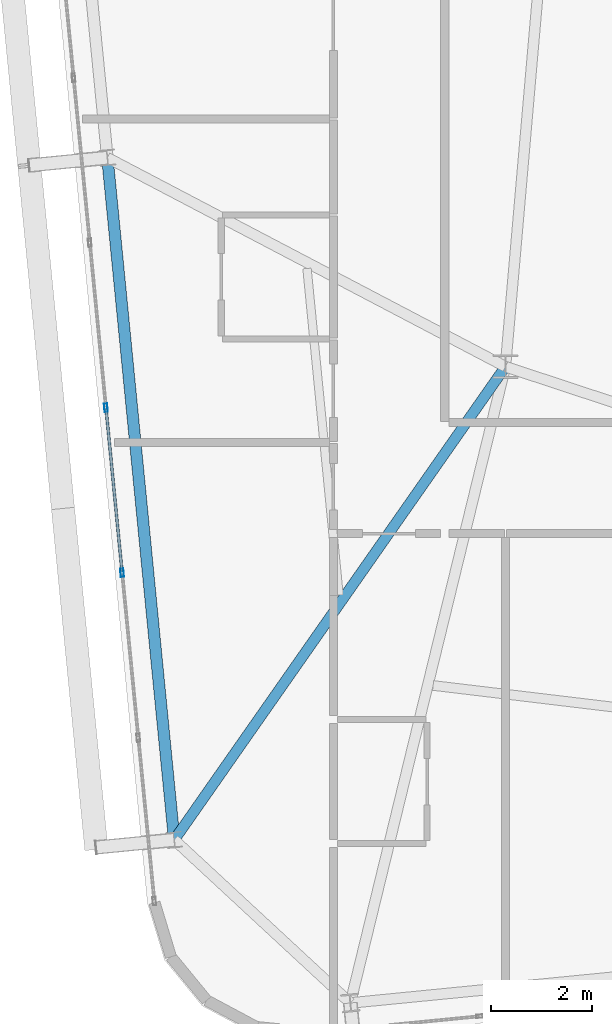
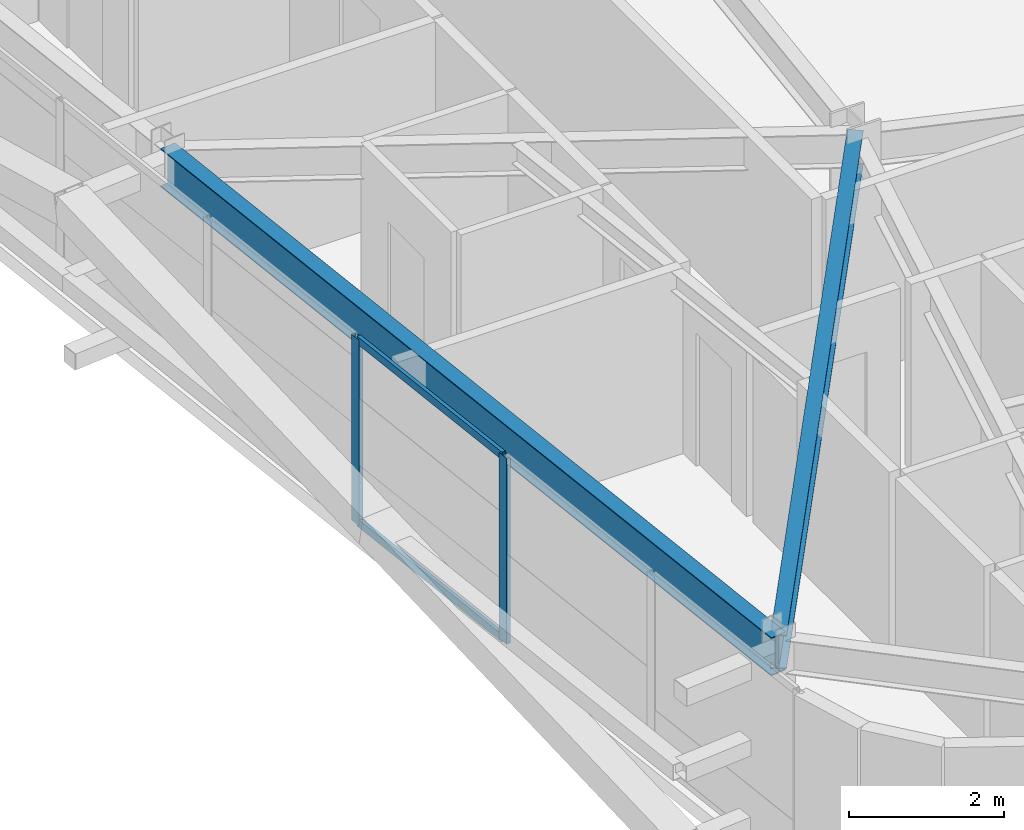
# One storey, part 8 of 53: 4 members, 2 beams, 1 element without a shape of its own.
"""IFC4 building model written with IfcOpenShell, lengths in metres."""

from ifc_helpers import new_model, si_unit, direction, frame, origin, origin_2d, place, context, subcontext, project, spatial, hollow_rectangle, i_section, extrude, source, transform, mapped, material, layer, layer_set, material_profile, profile_set, type_object, element, aggregate, save


model = new_model("IFC4")

# Units and contexts
model_context = context("Model", 3, precision=1e-05, world=origin(), true_north=direction((0.0, 1.0)))
body_context = subcontext(model_context, "Body", "Model", "MODEL_VIEW")
ifc_project = project(units=[si_unit("LENGTHUNIT", "METRE"), si_unit("AREAUNIT", "SQUARE_METRE"), si_unit("VOLUMEUNIT", "CUBIC_METRE"), si_unit("PLANEANGLEUNIT", "RADIAN"), si_unit("MASSUNIT", "GRAM", prefix="KILO")], contexts=[model_context])

# Site, building, storey
site_placement = place(None, origin())
site = spatial("IfcSite", under=ifc_project, at=site_placement, CompositionType="ELEMENT")
building_placement = place(site_placement, origin())
building = spatial("IfcBuilding", under=site, at=building_placement, Name="Taldren Reach Tower", CompositionType="ELEMENT")
storey_placement = place(building_placement, frame((0.0, 0.0, 80.85009765625)))
storey = spatial("IfcBuildingStorey", under=building, at=storey_placement, Name="L24", CompositionType="ELEMENT", Elevation=80.85009765625)

# Beams
ifc_material_1 = material(Name="Steel Gr 350 (350PLUS)", Category="steel")
ifc_material_profile_1 = material_profile(ifc_material_1, i_section(OverallWidth=0.22802734375, OverallDepth=0.60205078125, WebThickness=0.010498046875, FlangeThickness=0.014892578125, at=origin_2d()), Name="610UB101")
ifc_profile_set_1 = profile_set([ifc_material_profile_1], Name="Steel Gr 350 (350PLUS)")
beam_type_1 = type_object("IfcBeamType", Name="BM-UB610B", PredefinedType="BEAM", material=ifc_profile_set_1)
shared_shape_1 = source(origin(), body_context, "Body", "SweptSolid", [
    extrude(i_section(OverallWidth=0.22802734375, OverallDepth=0.60205078125, WebThickness=0.010498046875, FlangeThickness=0.014892578125, at=origin_2d()), origin(), (0.0, 0.0, 1.0), 13.550048828125),
])
beam_1_placement = place(storey_placement, frame((10.130615234375, 16.631103515625, 2.62890625), z_axis=(0.097584021339, -0.995227290009, 0.0), x_axis=(0.995227290009, 0.097584021339, 0.0)))
element("IfcBeam", 1, at=beam_1_placement, inside=storey, type_object=beam_type_1, Name="Perimeter gable girder B2 W2-W1 L24", PredefinedType="BEAM", context=body_context, shape_type="MappedRepresentation", body=[
    mapped(shared_shape_1, transform((0.0, 0.0, 0.0), scale=1.0)),
])
ifc_material_profile_2 = material_profile(ifc_material_1, i_section(OverallWidth=0.208984375, OverallDepth=0.532958984375, WebThickness=0.01025390625, FlangeThickness=0.015625, at=origin_2d()), Name="530UB92.4")
ifc_profile_set_2 = profile_set([ifc_material_profile_2], Name="Steel Gr 350 (350PLUS)")
beam_type_2 = type_object("IfcBeamType", Name="BM-UB530A", PredefinedType="BEAM", material=ifc_profile_set_2)
shared_shape_2 = source(origin(), body_context, "Body", "SweptSolid", [
    extrude(i_section(OverallWidth=0.208984375, OverallDepth=0.532958984375, WebThickness=0.01025390625, FlangeThickness=0.015625, at=origin_2d()), origin(), (0.0, 0.0, 1.0), 11.417724609375),
])
beam_2_placement = place(storey_placement, frame((18.0, 12.5, 2.663330078125), z_axis=(-0.573412116146, -0.819267077977, 0.0), x_axis=(0.819267077977, -0.573412116146, 0.0)))
element("IfcBeam", 2, at=beam_2_placement, inside=storey, type_object=beam_type_2, Name="Primary floor girder B2-W1 L24", PredefinedType="BEAM", context=body_context, shape_type="MappedRepresentation", body=[
    mapped(shared_shape_2, transform((0.0, 0.0, 0.0), scale=1.0)),
])

# Curtain wall, members
ifc_material_2 = material(Name="Aluminium and Low-E Glass Unitised System", Category="aluminium")
ifc_layer = layer(ifc_material_2, 0.159912109375)
ifc_layer_set = layer_set([ifc_layer], Name="Aluminium and Low-E Glass Unitised System")
curtain_wall_type = type_object("IfcCurtainWallType", Name="CW-SYS-3", PredefinedType="NOTDEFINED", material=ifc_layer_set)
curtain_wall_placement = place(storey_placement, origin())
curtain_wall = element("IfcCurtainWall", 3, at=curtain_wall_placement, inside=storey, type_object=curtain_wall_type, Name="Unitised curtain wall CW-L24-W", PredefinedType="NOTDEFINED")
ifc_material_3 = material(Name="Anodised Aluminium 6063-T6", Category="aluminium")
ifc_material_profile_3 = material_profile(ifc_material_3, hollow_rectangle(XDim=0.06494140625, YDim=0.1650390625, WallThickness=0.00390625, at=origin_2d()), Name="ALU-165x65x4RHS")
ifc_profile_set_3 = profile_set([ifc_material_profile_3], Name="Anodised Aluminium 6063-T6")
member_type_1 = type_object("IfcMemberType", Name="CW-MUL-165", PredefinedType="MULLION", material=ifc_profile_set_3)
shared_shape_3 = source(origin(), body_context, "Body", "SweptSolid", [
    extrude(hollow_rectangle(XDim=0.06494140625, YDim=0.1650390625, WallThickness=0.00390625, at=origin_2d()), origin(), (0.0, 0.0, 1.0), 2.929931640625),
])
member_1_placement = place(storey_placement, frame((10.102783203125, 11.688232421875, 0.0), z_axis=(0.0, 0.0, 1.0), x_axis=(0.99522741555, 0.09758274098, 0.0)))
member_1 = element("IfcMember", 4, at=member_1_placement, type_object=member_type_1, Name="CW-3 mullion 7", PredefinedType="MULLION", context=body_context, shape_type="MappedRepresentation", body=[
    mapped(shared_shape_3, transform((0.0, 0.0, 0.0), scale=1.0)),
])
member_2_placement = place(storey_placement, frame((10.422607421875, 8.426025390625, 0.0), z_axis=(0.0, 0.0, 1.0), x_axis=(0.99522741555, 0.09758274098, 0.0)))
member_2 = element("IfcMember", 5, at=member_2_placement, type_object=member_type_1, Name="CW-3 mullion 8", PredefinedType="MULLION", context=body_context, shape_type="MappedRepresentation", body=[
    mapped(shared_shape_3, transform((0.0, 0.0, 0.0), scale=1.0)),
])
ifc_material_profile_4 = material_profile(ifc_material_3, hollow_rectangle(XDim=0.054931640625, YDim=0.1201171875, WallThickness=0.0029296875, at=origin_2d()), Name="ALU-120x55x3RHS")
ifc_profile_set_4 = profile_set([ifc_material_profile_4], Name="Anodised Aluminium 6063-T6")
member_type_2 = type_object("IfcMemberType", Name="CW-TRN-135", PredefinedType="USERDEFINED", material=ifc_profile_set_4)
shared_shape_4 = source(origin(), body_context, "Body", "SweptSolid", [
    extrude(hollow_rectangle(XDim=0.054931640625, YDim=0.1201171875, WallThickness=0.0029296875, at=origin_2d()), origin(), (0.0, 0.0, 1.0), 3.212890625),
])
member_3_placement = place(storey_placement, frame((10.10595703125, 11.65576171875, 0.02734375), z_axis=(0.097569948235, -0.995228669805, 0.0), x_axis=(0.995228669805, 0.097569948235, 0.0)))
member_3 = element("IfcMember", 6, at=member_3_placement, type_object=member_type_2, Name="CW-3 transom 7.1", ObjectType="TRANSOM", PredefinedType="USERDEFINED", context=body_context, shape_type="MappedRepresentation", body=[
    mapped(shared_shape_4, transform((0.0, 0.0, 0.0), scale=1.0)),
])
member_4_placement = place(storey_placement, frame((10.10595703125, 11.65576171875, 2.90234375), z_axis=(0.097569948235, -0.995228669805, 0.0), x_axis=(0.995228669805, 0.097569948235, 0.0)))
member_4 = element("IfcMember", 7, at=member_4_placement, type_object=member_type_2, Name="CW-3 transom 7.2", ObjectType="TRANSOM", PredefinedType="USERDEFINED", context=body_context, shape_type="MappedRepresentation", body=[
    mapped(shared_shape_4, transform((0.0, 0.0, 0.0), scale=1.0)),
])
aggregate(curtain_wall, [member_1, member_2, member_3, member_4])

save(model, "model.ifc")
